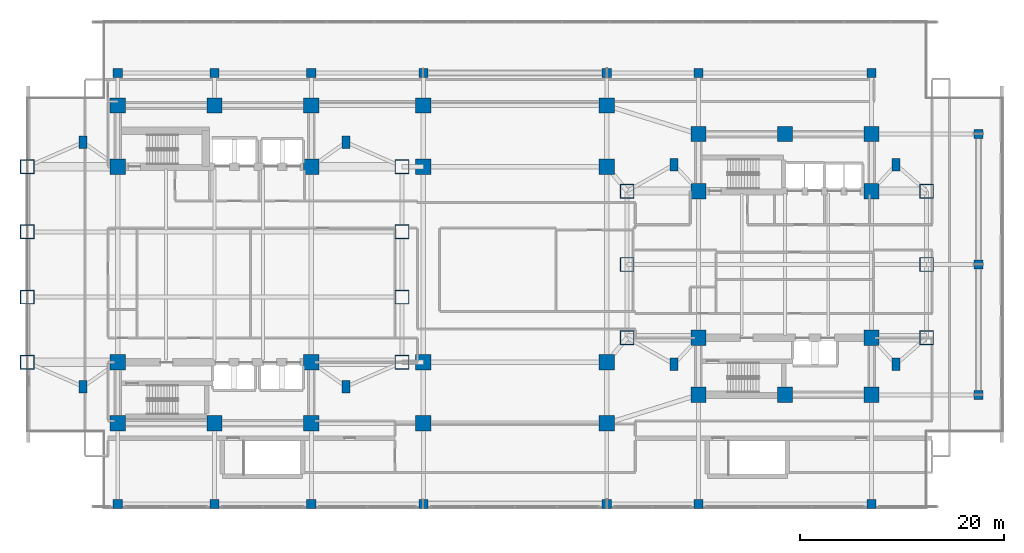
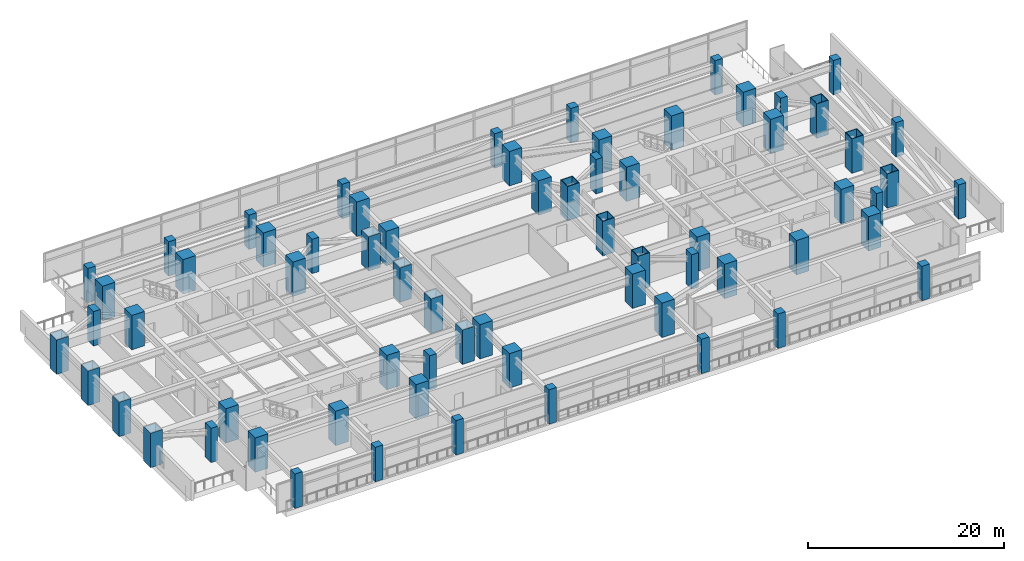
# One storey, part 1 of 27: 67 columns.
"""IFC4 building model written with IfcOpenShell, lengths in metres."""

from ifc_helpers import new_model, si_unit, direction, frame, origin, origin_2d, place, context, subcontext, project, spatial, rectangle, hollow_rectangle, extrude, material, material_profile, profile_set, type_object, element, save


model = new_model("IFC4")

# Units and contexts
model_context = context("Model", 3, precision=1e-05, world=origin(), true_north=direction((0.0, 1.0)))
body_context = subcontext(model_context, "Body", "Model", "MODEL_VIEW")
ifc_project = project(units=[si_unit("LENGTHUNIT", "METRE"), si_unit("AREAUNIT", "SQUARE_METRE"), si_unit("VOLUMEUNIT", "CUBIC_METRE"), si_unit("PLANEANGLEUNIT", "RADIAN"), si_unit("MASSUNIT", "GRAM", prefix="KILO")], contexts=[model_context])

# Site, building, storey
site_placement = place(None, origin())
site = spatial("IfcSite", under=ifc_project, at=site_placement, CompositionType="ELEMENT")
building_placement = place(site_placement, origin())
building = spatial("IfcBuilding", under=site, at=building_placement, Name="Mirazonda Arch Towers", CompositionType="ELEMENT")
storey_placement = place(building_placement, frame((0.0, 0.0, 18.10009765625)))
storey = spatial("IfcBuildingStorey", under=building, at=storey_placement, Name="L04", CompositionType="ELEMENT", Elevation=18.10009765625)

# Columns
ifc_material_1 = material(Name="Concrete C60/75", Category="concrete")
ifc_material_profile_1 = material_profile(ifc_material_1, rectangle(XDim=1.5, YDim=1.5, at=origin_2d()), Name="RC1500x1500")
ifc_profile_set_1 = profile_set([ifc_material_profile_1], Name="Concrete C60/75")
column_type_1 = type_object("IfcColumnType", Name="COL-INT-RC1500x1500", PredefinedType="COLUMN", material=ifc_profile_set_1)
for number, where, z_axis, x_axis, name in (
    (1, (11.0, 12.39990234375, 0.0), (0.0, 0.0, 1.0), (1.0, 0.0, 0.0), "L04 T1 Core Column 01"),
    (2, (20.5, 12.39990234375, 0.0), (0.0, 0.0, 1.0), (1.0, 0.0, 0.0), "L04 T1 Core Column 02"),
    (3, (30.0, 12.39990234375, 0.0), (0.0, 0.0, 1.0), (1.0, 0.0, 0.0), "L04 T1 Core Column 03"),
    (4, (11.0, 18.39990234375, 0.0), (0.0, 0.0, 1.0), (1.0, 0.0, 0.0), "L04 T1 Core Column 04"),
    (5, (30.0, 18.39990234375, 0.0), (0.0, 0.0, 1.0), (1.0, 0.0, 0.0), "L04 T1 Core Column 05"),
    (6, (11.0, 37.60009765625, 0.0), (0.0, 0.0, 1.0), (1.0, 0.0, 0.0), "L04 T1 Core Column 06"),
    (7, (30.0, 37.60009765625, 0.0), (0.0, 0.0, 1.0), (1.0, 0.0, 0.0), "L04 T1 Core Column 07"),
    (8, (11.0, 43.60009765625, 0.0), (0.0, 0.0, 1.0), (1.0, 0.0, 0.0), "L04 T1 Core Column 08"),
    (9, (20.5, 43.60009765625, 0.0), (0.0, 0.0, 1.0), (1.0, 0.0, 0.0), "L04 T1 Core Column 09"),
    (10, (30.0, 43.60009765625, 0.0), (0.0, 0.0, 1.0), (1.0, 0.0, 0.0), "L04 T1 Core Column 10"),
    (11, (68.0, 15.199951171875, 0.0), (0.0, 0.0, 1.0), (1.0, 0.0, 0.0), "L04 T2 Core Column 01"),
    (12, (76.5, 15.199951171875, 0.0), (0.0, 0.0, 1.0), (1.0, 0.0, 0.0), "L04 T2 Core Column 02"),
    (13, (85.0, 15.199951171875, 0.0), (0.0, 0.0, 1.0), (1.0, 0.0, 0.0), "L04 T2 Core Column 03"),
    (14, (68.0, 20.800048828125, 0.0), (0.0, 0.0, 1.0), (1.0, 0.0, 0.0), "L04 T2 Core Column 04"),
    (15, (85.0, 20.800048828125, 0.0), (0.0, 0.0, 1.0), (1.0, 0.0, 0.0), "L04 T2 Core Column 05"),
    (16, (68.0, 35.199951171875, 0.0), (0.0, 0.0, 1.0), (1.0, 0.0, 0.0), "L04 T2 Core Column 06"),
    (17, (85.0, 35.199951171875, 0.0), (0.0, 0.0, 1.0), (1.0, 0.0, 0.0), "L04 T2 Core Column 07"),
    (18, (68.0, 40.800048828125, 0.0), (0.0, 0.0, 1.0), (1.0, 0.0, 0.0), "L04 T2 Core Column 08"),
    (19, (76.5, 40.800048828125, 0.0), (0.0, 0.0, 1.0), (1.0, 0.0, 0.0), "L04 T2 Core Column 09"),
    (20, (85.0, 40.800048828125, 0.0), (0.0, 0.0, 1.0), (1.0, 0.0, 0.0), "L04 T2 Core Column 10"),
    (21, (41.0, 12.39990234375, 0.0), (0.0, 0.0, 1.0), (1.0, 0.0, 0.0), "L04 Arch Springing Pier 01"),
    (22, (41.0, 18.39990234375, 0.0), (0.0, 0.0, 1.0), (1.0, 0.0, 0.0), "L04 Arch Springing Pier 02"),
    (23, (41.0, 37.60009765625, 0.0), (0.0, 0.0, 1.0), (1.0, 0.0, 0.0), "L04 Arch Springing Pier 03"),
    (24, (41.0, 43.60009765625, 0.0), (0.0, 0.0, 1.0), (1.0, 0.0, 0.0), "L04 Arch Springing Pier 04"),
    (25, (59.0, 12.39990234375, 0.0), (0.0, 0.0, 1.0), (1.0, 0.0, 0.0), "L04 Arch Springing Pier 05"),
    (26, (59.0, 18.39990234375, 0.0), (0.0, 0.0, 1.0), (1.0, 0.0, 0.0), "L04 Arch Springing Pier 06"),
    (27, (59.0, 37.60009765625, 0.0), (0.0, 0.0, 1.0), (1.0, 0.0, 0.0), "L04 Arch Springing Pier 07"),
    (28, (59.0, 43.60009765625, 0.0), (0.0, 0.0, 1.0), (1.0, 0.0, 0.0), "L04 Arch Springing Pier 08"),
):
    element("IfcColumn", number, at=place(storey_placement, frame(where, z_axis=z_axis, x_axis=x_axis)), inside=storey, type_object=column_type_1, Name=name, PredefinedType="COLUMN", context=body_context, shape_type="SweptSolid", body=[
        extrude(rectangle(XDim=1.5, YDim=1.5, at=origin_2d()), origin(), (0.0, 0.0, 1.0), 4.2998046875),
    ])
ifc_material_2 = material(Name="Concrete C50/60", Category="concrete")
ifc_material_profile_2 = material_profile(ifc_material_2, rectangle(XDim=0.89990234375, YDim=0.89990234375, at=origin_2d()), Name="RC900x900")
ifc_profile_set_2 = profile_set([ifc_material_profile_2], Name="Concrete C50/60")
column_type_2 = type_object("IfcColumnType", Name="COL-INT-RC900x900", PredefinedType="COLUMN", material=ifc_profile_set_2)
for number, where, z_axis, x_axis, name in (
    (29, (11.0, 4.5, 0.0), (0.0, 0.0, 1.0), (1.0, 0.0, 0.0), "L04 Podium Column 01"),
    (30, (20.5, 4.5, 0.0), (0.0, 0.0, 1.0), (1.0, 0.0, 0.0), "L04 Podium Column 02"),
    (31, (30.0, 4.5, 0.0), (0.0, 0.0, 1.0), (1.0, 0.0, 0.0), "L04 Podium Column 03"),
    (32, (41.0, 4.5, 0.0), (0.0, 0.0, 1.0), (1.0, 0.0, 0.0), "L04 Podium Column 04"),
    (33, (59.0, 4.5, 0.0), (0.0, 0.0, 1.0), (1.0, 0.0, 0.0), "L04 Podium Column 05"),
    (34, (68.0, 4.5, 0.0), (0.0, 0.0, 1.0), (1.0, 0.0, 0.0), "L04 Podium Column 06"),
    (35, (85.0, 4.5, 0.0), (0.0, 0.0, 1.0), (1.0, 0.0, 0.0), "L04 Podium Column 07"),
    (36, (11.0, 46.800048828125, 0.0), (0.0, 0.0, 1.0), (1.0, 0.0, 0.0), "L04 Podium Column 08"),
    (37, (20.5, 46.800048828125, 0.0), (0.0, 0.0, 1.0), (1.0, 0.0, 0.0), "L04 Podium Column 09"),
    (38, (30.0, 46.800048828125, 0.0), (0.0, 0.0, 1.0), (1.0, 0.0, 0.0), "L04 Podium Column 10"),
    (39, (41.0, 46.800048828125, 0.0), (0.0, 0.0, 1.0), (1.0, 0.0, 0.0), "L04 Podium Column 11"),
    (40, (59.0, 46.800048828125, 0.0), (0.0, 0.0, 1.0), (1.0, 0.0, 0.0), "L04 Podium Column 12"),
    (41, (68.0, 46.800048828125, 0.0), (0.0, 0.0, 1.0), (1.0, 0.0, 0.0), "L04 Podium Column 13"),
    (42, (85.0, 46.800048828125, 0.0), (0.0, 0.0, 1.0), (1.0, 0.0, 0.0), "L04 Podium Column 14"),
    (43, (95.5, 15.199951171875, 0.0), (0.0, 0.0, 1.0), (1.0, 0.0, 0.0), "L04 Podium Column 15"),
    (44, (95.5, 28.0, 0.0), (0.0, 0.0, 1.0), (1.0, 0.0, 0.0), "L04 Podium Column 16"),
    (45, (95.5, 40.800048828125, 0.0), (0.0, 0.0, 1.0), (1.0, 0.0, 0.0), "L04 Podium Column 17"),
):
    element("IfcColumn", number, at=place(storey_placement, frame(where, z_axis=z_axis, x_axis=x_axis)), inside=storey, type_object=column_type_2, Name=name, PredefinedType="COLUMN", context=body_context, shape_type="SweptSolid", body=[
        extrude(rectangle(XDim=0.89990234375, YDim=0.89990234375, at=origin_2d()), origin(), (0.0, 0.0, 1.0), 4.2998046875),
    ])
ifc_material_3 = material(Name="Steel ASTM A572 Grade 50", Category="steel")
ifc_material_profile_3 = material_profile(ifc_material_3, hollow_rectangle(XDim=1.39990234375, YDim=1.39990234375, WallThickness=0.080078125, at=origin_2d()), Name="BOX1400x1400x80")
ifc_profile_set_3 = profile_set([ifc_material_profile_3], Name="Steel ASTM A572 Grade 50")
column_type_3 = type_object("IfcColumnType", Name="MCOL-EXT-BOX1400x1400x80", PredefinedType="COLUMN", material=ifc_profile_set_3)
for number, where, z_axis, x_axis, name in (
    (46, (2.10009765625, 18.39990234375, 0.0), (0.0, 0.0, 1.0), (1.0, 0.0, 0.0), "L04 T1 Composite Mega-Column 01"),
    (47, (2.10009765625, 24.800048828125, 0.0), (0.0, 0.0, 1.0), (1.0, 0.0, 0.0), "L04 T1 Composite Mega-Column 02"),
    (48, (2.10009765625, 31.199951171875, 0.0), (0.0, 0.0, 1.0), (1.0, 0.0, 0.0), "L04 T1 Composite Mega-Column 03"),
    (49, (2.10009765625, 37.60009765625, 0.0), (0.0, 0.0, 1.0), (1.0, 0.0, 0.0), "L04 T1 Composite Mega-Column 04"),
    (50, (38.89990234375, 18.39990234375, 0.0), (0.0, 0.0, 1.0), (1.0, 0.0, 0.0), "L04 T1 Composite Mega-Column 05"),
    (51, (38.89990234375, 24.800048828125, 0.0), (0.0, 0.0, 1.0), (1.0, 0.0, 0.0), "L04 T1 Composite Mega-Column 06"),
    (52, (38.89990234375, 31.199951171875, 0.0), (0.0, 0.0, 1.0), (1.0, 0.0, 0.0), "L04 T1 Composite Mega-Column 07"),
    (53, (38.89990234375, 37.60009765625, 0.0), (0.0, 0.0, 1.0), (1.0, 0.0, 0.0), "L04 T1 Composite Mega-Column 08"),
    (54, (61.0, 20.800048828125, 0.0), (0.0, 0.0, 1.0), (1.0, 0.0, 0.0), "L04 T2 Composite Mega-Column 01"),
    (55, (61.0, 28.0, 0.0), (0.0, 0.0, 1.0), (1.0, 0.0, 0.0), "L04 T2 Composite Mega-Column 02"),
    (56, (61.0, 35.199951171875, 0.0), (0.0, 0.0, 1.0), (1.0, 0.0, 0.0), "L04 T2 Composite Mega-Column 03"),
    (57, (90.39990234375, 20.800048828125, 0.0), (0.0, 0.0, 1.0), (1.0, 0.0, 0.0), "L04 T2 Composite Mega-Column 04"),
    (58, (90.39990234375, 28.0, 0.0), (0.0, 0.0, 1.0), (1.0, 0.0, 0.0), "L04 T2 Composite Mega-Column 05"),
    (59, (90.39990234375, 35.199951171875, 0.0), (0.0, 0.0, 1.0), (1.0, 0.0, 0.0), "L04 T2 Composite Mega-Column 06"),
):
    element("IfcColumn", number, at=place(storey_placement, frame(where, z_axis=z_axis, x_axis=x_axis)), inside=storey, type_object=column_type_3, Name=name, PredefinedType="COLUMN", context=body_context, shape_type="SweptSolid", body=[
        extrude(hollow_rectangle(XDim=1.39990234375, YDim=1.39990234375, WallThickness=0.080078125, at=origin_2d()), origin(), (0.0, 0.0, 1.0), 4.2998046875),
    ])
ifc_material_profile_4 = material_profile(ifc_material_1, rectangle(XDim=0.800048828125, YDim=1.199951171875, at=origin_2d()), Name="RC1200x800")
ifc_profile_set_4 = profile_set([ifc_material_profile_4], Name="Concrete C60/75")
column_type_4 = type_object("IfcColumnType", Name="PIL-EXT-RC1200x800", PredefinedType="PILASTER", material=ifc_profile_set_4)
for number, where, z_axis, x_axis, name in (
    (60, (7.60009765625, 16.0, 0.0), (0.0, 0.0, 1.0), (1.0, 0.0, 0.0), "L04 T1 Corner Pilaster 01"),
    (61, (33.39990234375, 16.0, 0.0), (0.0, 0.0, 1.0), (1.0, 0.0, 0.0), "L04 T1 Corner Pilaster 02"),
    (62, (7.60009765625, 40.0, 0.0), (0.0, 0.0, 1.0), (1.0, 0.0, 0.0), "L04 T1 Corner Pilaster 03"),
    (63, (33.39990234375, 40.0, 0.0), (0.0, 0.0, 1.0), (1.0, 0.0, 0.0), "L04 T1 Corner Pilaster 04"),
    (64, (65.60009765625, 18.199951171875, 0.0), (0.0, 0.0, 1.0), (1.0, 0.0, 0.0), "L04 T2 Corner Pilaster 01"),
    (65, (87.39990234375, 18.199951171875, 0.0), (0.0, 0.0, 1.0), (1.0, 0.0, 0.0), "L04 T2 Corner Pilaster 02"),
    (66, (65.60009765625, 37.800048828125, 0.0), (0.0, 0.0, 1.0), (1.0, 0.0, 0.0), "L04 T2 Corner Pilaster 03"),
    (67, (87.39990234375, 37.800048828125, 0.0), (0.0, 0.0, 1.0), (1.0, 0.0, 0.0), "L04 T2 Corner Pilaster 04"),
):
    element("IfcColumn", number, at=place(storey_placement, frame(where, z_axis=z_axis, x_axis=x_axis)), inside=storey, type_object=column_type_4, Name=name, PredefinedType="PILASTER", context=body_context, shape_type="SweptSolid", body=[
        extrude(rectangle(XDim=0.800048828125, YDim=1.199951171875, at=origin_2d()), origin(), (0.0, 0.0, 1.0), 4.2998046875),
    ])

save(model, "model.ifc")
